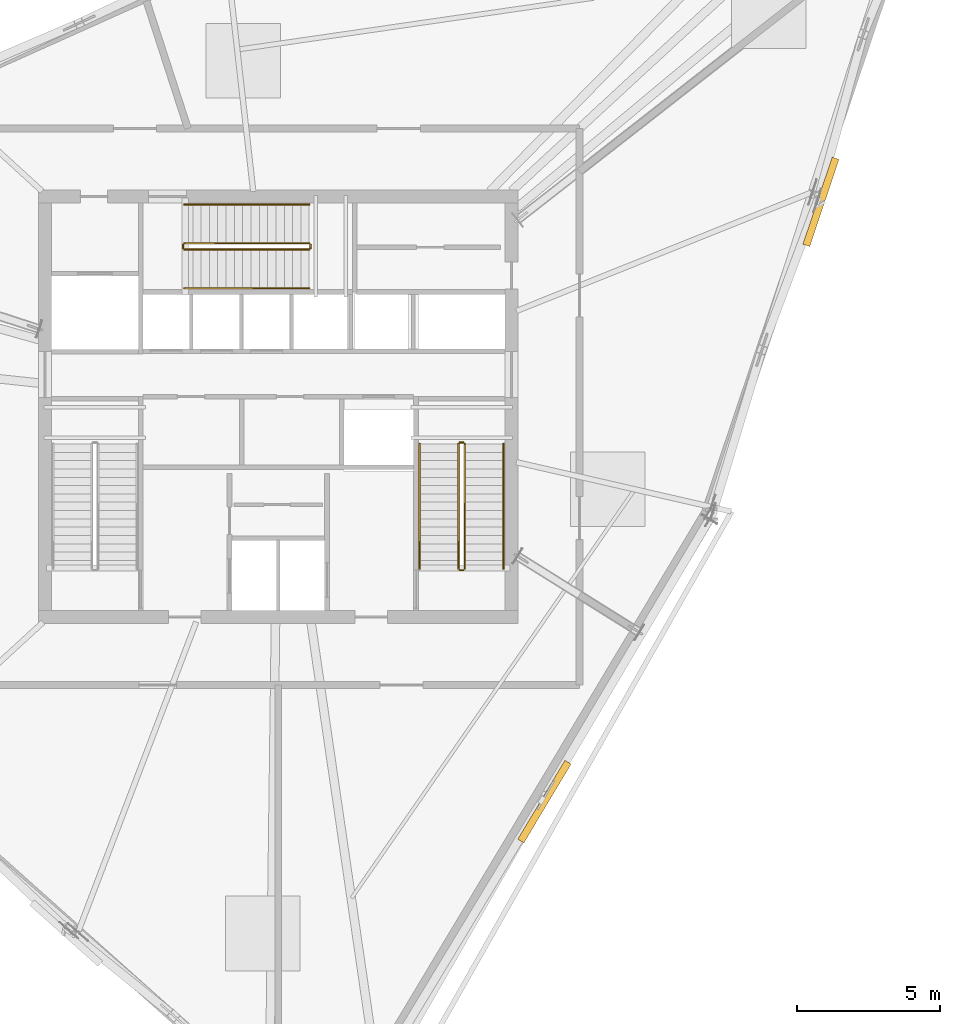
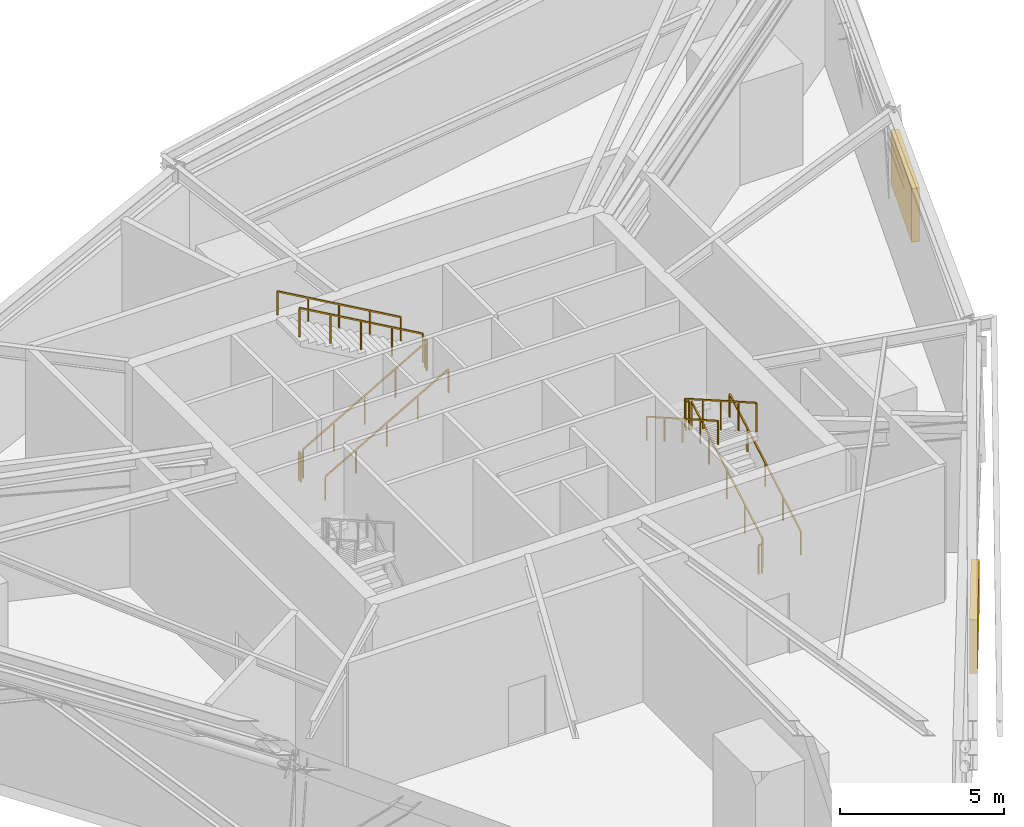
# One storey, part 13 of 15: 12 railings, 2 shading devices.
"""IFC4 building model written with IfcOpenShell, lengths in metres."""

import ifcopenshell
import ifcopenshell.guid

model = None  # the IFC model being written
_history = None  # IfcOwnerHistory: only IFC2X3 demands one
_inside = {}  # id of a spatial element -> (the spatial element, [elements in it])
_under = {}  # id of a project, library or spatial element -> (it, [spatial elements below it])
_declared = {}  # id of a project -> (the project, [libraries it declares])
_typed = {}  # id of a type object -> (the type object, [elements of that type])
_made_of = {}  # id of a material, layer set ... -> (it, [elements and type objects made of it])


def new_model(schema):
    """Start an empty IFC model of exactly this schema.

    Asked for "IFC4X3", IfcOpenShell would pick the latest addendum, in which some entities
    have other attributes; the version numbers below select the first issue.
    IFC2X3 requires an IfcOwnerHistory on every rooted entity: one is made here for all.
    """
    global model, _history
    if schema == "IFC4X3":
        model = ifcopenshell.file(schema_version=(4, 3, 0, 0))
    else:
        model = ifcopenshell.file(schema=schema)
    _inside.clear()
    _under.clear()
    _declared.clear()
    _typed.clear()
    _made_of.clear()
    _history = None
    if model.schema == "IFC2X3":
        org = make("IfcOrganization", Name="unknown")
        user = make(
            "IfcPersonAndOrganization",
            ThePerson=make("IfcPerson", FamilyName="unknown"),
            TheOrganization=org,
        )
        app = make(
            "IfcApplication",
            ApplicationDeveloper=org,
            Version="unknown",
            ApplicationFullName="unknown",
            ApplicationIdentifier="unknown",
        )
        _history = make(
            "IfcOwnerHistory",
            OwningUser=user,
            OwningApplication=app,
            ChangeAction="ADDED",
            CreationDate=0,
        )
    return model


def make(cls, **values):
    """One entity of the class cls with the attributes given. An attribute that is None is left unset."""
    return model.create_entity(
        cls, **{name: value for name, value in values.items() if value is not None}
    )


def rooted(cls, **values):
    """An entity with a GlobalId (a new one), such as an element, a storey or a relation."""
    return make(cls, GlobalId=ifcopenshell.guid.new(), OwnerHistory=_history, **values)


def si_unit(unit_type, name, prefix=None):
    """IfcSIUnit, for example si_unit("LENGTHUNIT", "METRE", prefix="MILLI")."""
    return make("IfcSIUnit", UnitType=unit_type, Prefix=prefix, Name=name)


def assignment(units):
    """IfcUnitAssignment: the units of a project."""
    return None if units is None else make("IfcUnitAssignment", Units=units)


def point(xyz):
    """IfcCartesianPoint."""
    return None if xyz is None else make("IfcCartesianPoint", Coordinates=xyz)


def direction(xyz):
    """IfcDirection."""
    return None if xyz is None else make("IfcDirection", DirectionRatios=xyz)


def frame(location, z_axis=None, x_axis=None):
    """IfcAxis2Placement3D, a coordinate frame: its origin and axes. An axis left out is left unset."""
    return make(
        "IfcAxis2Placement3D",
        Location=point(location),
        Axis=direction(z_axis),
        RefDirection=direction(x_axis),
    )


def frame_2d(location, x_axis=None):
    """IfcAxis2Placement2D, a coordinate frame in the plane: its origin and x axis."""
    return make(
        "IfcAxis2Placement2D", Location=point(location), RefDirection=direction(x_axis)
    )


def origin():
    """The frame at (0, 0, 0) with its axes left unset."""
    return frame((0.0, 0.0, 0.0))


def origin_2d():
    """The frame at (0, 0) in the plane with its x axis left unset."""
    return frame_2d((0.0, 0.0))


def place(relative_to, where):
    """IfcLocalPlacement: puts the frame where relative to a parent placement (None: the world)."""
    return make(
        "IfcLocalPlacement", PlacementRelTo=relative_to, RelativePlacement=where
    )


def context(
    kind, dimensions, precision=None, world=None, true_north=None, identifier=None
):
    """IfcGeometricRepresentationContext, for example the 3D "Model" context."""
    return make(
        "IfcGeometricRepresentationContext",
        ContextIdentifier=identifier,
        ContextType=kind,
        CoordinateSpaceDimension=dimensions,
        Precision=precision,
        WorldCoordinateSystem=world,
        TrueNorth=true_north,
    )


def subcontext(parent, identifier, kind, view, scale=None):
    """IfcGeometricRepresentationSubContext, for example "Body" below "Model"."""
    return make(
        "IfcGeometricRepresentationSubContext",
        ContextIdentifier=identifier,
        ContextType=kind,
        ParentContext=parent,
        TargetScale=scale,
        TargetView=view,
    )


def project(units=None, contexts=None):
    """IfcProject with its units and contexts."""
    return rooted(
        "IfcProject",
        Name="project",
        RepresentationContexts=contexts,
        UnitsInContext=assignment(units),
    )


def spatial(cls, under=None, at=None, **own):
    """A site, building, storey or space (cls), placed at a placement, below another one or the project."""
    s = rooted(cls, ObjectPlacement=at, **own)
    if under is not None:
        _under.setdefault(under.id(), (under, []))[1].append(s)
    return s


def profile(cls, at=None, kind="AREA", **sizes):
    """A parametric profile (cls). Its sizes go by their IFC names, for example OverallWidth=200.0."""
    return make(cls, ProfileType=kind, Position=at, **sizes)


def rectangle(**sizes):
    """IfcRectangleProfileDef."""
    return profile("IfcRectangleProfileDef", **sizes)


def extrude(swept, where, along, depth):
    """IfcExtrudedAreaSolid: the profile swept, set in the frame where, extruded along a direction by depth."""
    return make(
        "IfcExtrudedAreaSolid",
        SweptArea=swept,
        Position=where,
        ExtrudedDirection=direction(along),
        Depth=depth,
    )


def shape(context_of_items, identifier, shape_type, items):
    """IfcShapeRepresentation: the items that make up one representation, for example the "Body"."""
    return make(
        "IfcShapeRepresentation",
        ContextOfItems=context_of_items,
        RepresentationIdentifier=identifier,
        RepresentationType=shape_type,
        Items=items,
    )


def source(mapping_origin, context_of_items, identifier, shape_type, items):
    """IfcRepresentationMap: a shape defined once, which mapped items show again and again."""
    return make(
        "IfcRepresentationMap",
        MappingOrigin=mapping_origin,
        MappedRepresentation=shape(context_of_items, identifier, shape_type, items),
    )


def transform(
    local_origin,
    x_axis=None,
    y_axis=None,
    z_axis=None,
    scale=None,
    scale2=None,
    scale3=None,
    uniform=True,
):
    """IfcCartesianTransformationOperator3D, or its non-uniform kind. x_axis, y_axis, z_axis: its Axis1, 2, 3."""
    if uniform:
        return make(
            "IfcCartesianTransformationOperator3D",
            Axis1=direction(x_axis),
            Axis2=direction(y_axis),
            LocalOrigin=point(local_origin),
            Scale=scale,
            Axis3=direction(z_axis),
        )
    return make(
        "IfcCartesianTransformationOperator3DnonUniform",
        Axis1=direction(x_axis),
        Axis2=direction(y_axis),
        LocalOrigin=point(local_origin),
        Scale=scale,
        Axis3=direction(z_axis),
        Scale2=scale2,
        Scale3=scale3,
    )


def mapped(mapping_source, mapping_target):
    """IfcMappedItem: shows the shape of a source again, moved by a transform."""
    return make(
        "IfcMappedItem", MappingSource=mapping_source, MappingTarget=mapping_target
    )


def material(Name=None, Category=None):
    """IfcMaterial."""
    return make("IfcMaterial", Name=Name, Category=Category)


def made_of(thing, what):
    """Note that an element or type object is made of a material, layer set ...; save() writes the relation."""
    if what is not None:
        _made_of.setdefault(what.id(), (what, []))[1].append(thing)
    return thing


def type_object(cls, material=None, **own):
    """A type object (cls), such as IfcWallType, which elements share."""
    return made_of(rooted(cls, **own), material)


def element(
    cls,
    number,
    at=None,
    inside=None,
    cuts=None,
    type_object=None,
    material=None,
    context=None,
    identifier="Body",
    shape_type=None,
    held_by="IfcProductDefinitionShape",
    body=None,
    shapes=None,
    **own,
):
    """One element of the class cls, such as IfcWall. Its Tag is "e" and its number.

    at: its placement. inside: the storey or other place that contains it. cuts: it is an
    opening in that element (IfcRelVoidsElement). A single representation is given by context,
    identifier, shape_type and body (its items); several are given by shapes. held_by: the class
    of the entity that holds the representations. save() writes the other relations.
    """
    e = rooted(cls, Tag="e%d" % number, ObjectPlacement=at, **own)
    if body is not None:
        shapes = [shape(context, identifier, shape_type, body)]
    if shapes is not None:
        e.Representation = make(held_by, Representations=shapes)
    if inside is not None:
        _inside.setdefault(inside.id(), (inside, []))[1].append(e)
    if cuts is not None:
        rooted(
            "IfcRelVoidsElement", RelatingBuildingElement=cuts, RelatedOpeningElement=e
        )
    if type_object is not None:
        _typed.setdefault(type_object.id(), (type_object, []))[1].append(e)
    return made_of(e, material)


def aggregate(whole, parts):
    """IfcRelAggregates: a whole, such as a stair, and the parts it consists of."""
    return rooted("IfcRelAggregates", RelatingObject=whole, RelatedObjects=parts)


def save(model, path):
    """Write the relations noted so far, then the file.

    IfcRelAggregates (storeys below a building ...), IfcRelContainedInSpatialStructure (elements
    in a storey), IfcRelDefinesByType, IfcRelAssociatesMaterial and IfcRelDeclares: one each for
    every whole, place, type object, material and project.
    """
    for whole, parts in _under.values():
        aggregate(whole, parts)
    for where, things in _inside.values():
        rooted(
            "IfcRelContainedInSpatialStructure",
            RelatedElements=things,
            RelatingStructure=where,
        )
    for kind, things in _typed.values():
        rooted("IfcRelDefinesByType", RelatedObjects=things, RelatingType=kind)
    for what, things in _made_of.values():
        rooted("IfcRelAssociatesMaterial", RelatedObjects=things, RelatingMaterial=what)
    for by, libraries in _declared.values():
        rooted("IfcRelDeclares", RelatingContext=by, RelatedDefinitions=libraries)
    model.write(path)


model = new_model("IFC4")

# Units and contexts
model_context = context("Model", 3, precision=1e-05, world=origin(), true_north=direction((0.0, 1.0)))
body_context = subcontext(model_context, "Body", "Model", "MODEL_VIEW")
ifc_project = project(units=[si_unit("LENGTHUNIT", "METRE"), si_unit("AREAUNIT", "SQUARE_METRE"), si_unit("VOLUMEUNIT", "CUBIC_METRE"), si_unit("PLANEANGLEUNIT", "RADIAN"), si_unit("MASSUNIT", "GRAM", prefix="KILO")], contexts=[model_context])

# Site, building, storey
site_placement = place(None, origin())
site = spatial("IfcSite", under=ifc_project, at=site_placement, CompositionType="ELEMENT")
building_placement = place(site_placement, origin())
building = spatial("IfcBuilding", under=site, at=building_placement, Name="Olszyna Solenne Hotel", CompositionType="ELEMENT")
storey_placement = place(building_placement, frame((0.0, 0.0, 204.300048828125)))
storey = spatial("IfcBuildingStorey", under=building, at=storey_placement, Name="L54", CompositionType="ELEMENT", Elevation=204.300048828125)

# Railings
ifc_material_1 = material(Name="Anodised bronze aluminium", Category="aluminium")
railing_type_1 = type_object("IfcRailingType", Name="GR-110", PredefinedType="BALUSTRADE", material=ifc_material_1)
railing_1_placement = place(storey_placement, frame((44.5, 20.949951171875, 0.16552734375)))
element("IfcRailing", 1, at=railing_1_placement, inside=storey, type_object=railing_type_1, Name="L54 ST2 stair guard 1", PredefinedType="BALUSTRADE", context=body_context, shape_type="SweptSolid", body=[
    extrude(rectangle(XDim=0.048095703125, YDim=0.048095703125, at=origin_2d()), frame((0.0, 0.0, 1.076171875), z_axis=(0.0, 0.868363080214, 0.49592898778), x_axis=(-1.0, 0.0, 0.0)), (0.0, 0.0, 1.0), 5.009521484375),
    extrude(rectangle(XDim=0.0419921875, YDim=0.0419921875, at=origin_2d()), origin(), (0.0, 0.0, 1.0), 1.052001953125),
    extrude(rectangle(XDim=0.0419921875, YDim=0.0419921875, at=origin_2d()), frame((0.0, 1.08740234375, 0.62109375)), (0.0, 0.0, 1.0), 1.052001953125),
    extrude(rectangle(XDim=0.0419921875, YDim=0.0419921875, at=origin_2d()), frame((0.0, 2.175048828125, 1.2421875)), (0.0, 0.0, 1.0), 1.052001953125),
    extrude(rectangle(XDim=0.0419921875, YDim=0.0419921875, at=origin_2d()), frame((0.0, 3.2626953125, 1.86328125)), (0.0, 0.0, 1.0), 1.052001953125),
    extrude(rectangle(XDim=0.0419921875, YDim=0.0419921875, at=origin_2d()), frame((0.0, 4.35009765625, 2.484375)), (0.0, 0.0, 1.0), 1.052001953125),
])
railing_2_placement = place(storey_placement, frame((44.449951171875, 25.35009765625, 2.64990234375)))
element("IfcRailing", 2, at=railing_2_placement, inside=storey, type_object=railing_type_1, Name="L54 ST2 stair guard 2", PredefinedType="BALUSTRADE", context=body_context, shape_type="SweptSolid", body=[
    extrude(rectangle(XDim=0.048095703125, YDim=0.048095703125, at=origin_2d()), frame((0.0, 0.0, 1.076171875), z_axis=(-1.0, 0.0, 0.0), x_axis=(0.0, -1.0, 0.0)), (0.0, 0.0, 1.0), 0.119873046875),
    extrude(rectangle(XDim=0.0419921875, YDim=0.0419921875, at=origin_2d()), origin(), (0.0, 0.0, 1.0), 1.052001953125),
    extrude(rectangle(XDim=0.0419921875, YDim=0.0419921875, at=origin_2d()), frame((-0.119873046875, 0.0, 0.0)), (0.0, 0.0, 1.0), 1.052001953125),
])
railing_3_placement = place(storey_placement, frame((44.280029296875, 25.300048828125, 2.815673828125)))
element("IfcRailing", 3, at=railing_3_placement, inside=storey, type_object=railing_type_1, Name="L54 ST2 stair guard 3", PredefinedType="BALUSTRADE", context=body_context, shape_type="SweptSolid", body=[
    extrude(rectangle(XDim=0.048095703125, YDim=0.048095703125, at=origin_2d()), frame((0.0, 0.0, 1.076171875), z_axis=(0.0, -0.868363080214, 0.49592898778), x_axis=(1.0, 0.0, 0.0)), (0.0, 0.0, 1.0), 5.009521484375),
    extrude(rectangle(XDim=0.0419921875, YDim=0.0419921875, at=origin_2d()), origin(), (0.0, 0.0, 1.0), 1.052001953125),
    extrude(rectangle(XDim=0.0419921875, YDim=0.0419921875, at=origin_2d()), frame((0.0, -1.08740234375, 0.62109375)), (0.0, 0.0, 1.0), 1.052001953125),
    extrude(rectangle(XDim=0.0419921875, YDim=0.0419921875, at=origin_2d()), frame((0.0, -2.175048828125, 1.2421875)), (0.0, 0.0, 1.0), 1.052001953125),
    extrude(rectangle(XDim=0.0419921875, YDim=0.0419921875, at=origin_2d()), frame((0.0, -3.2626953125, 1.86328125)), (0.0, 0.0, 1.0), 1.052001953125),
    extrude(rectangle(XDim=0.0419921875, YDim=0.0419921875, at=origin_2d()), frame((0.0, -4.35009765625, 2.484375)), (0.0, 0.0, 1.0), 1.052001953125),
])
railing_4_placement = place(storey_placement, frame((44.449951171875, 20.89990234375, 0.0)))
element("IfcRailing", 4, at=railing_4_placement, inside=storey, type_object=railing_type_1, Name="L54 ST2 stair guard 4", PredefinedType="BALUSTRADE", context=body_context, shape_type="SweptSolid", body=[
    extrude(rectangle(XDim=0.048095703125, YDim=0.048095703125, at=origin_2d()), frame((0.0, 0.0, 1.076171875), z_axis=(-1.0, 0.0, 0.0), x_axis=(0.0, -1.0, 0.0)), (0.0, 0.0, 1.0), 0.119873046875),
    extrude(rectangle(XDim=0.0419921875, YDim=0.0419921875, at=origin_2d()), origin(), (0.0, 0.0, 1.0), 1.052001953125),
    extrude(rectangle(XDim=0.0419921875, YDim=0.0419921875, at=origin_2d()), frame((-0.119873046875, 0.0, 0.0)), (0.0, 0.0, 1.0), 1.052001953125),
])
railing_5_placement = place(storey_placement, frame((34.72998046875, 32.080078125, 0.16552734375)))
element("IfcRailing", 5, at=railing_5_placement, inside=storey, type_object=railing_type_1, Name="L54 ST3 stair guard 1", PredefinedType="BALUSTRADE", context=body_context, shape_type="SweptSolid", body=[
    extrude(rectangle(XDim=0.048095703125, YDim=0.048095703125, at=origin_2d()), frame((0.0, 0.0, 1.076171875), z_axis=(0.868363080214, 0.0, 0.49592898778), x_axis=(0.0, 1.0, 0.0)), (0.0, 0.0, 1.0), 5.009521484375),
    extrude(rectangle(XDim=0.0419921875, YDim=0.0419921875, at=origin_2d()), origin(), (0.0, 0.0, 1.0), 1.052001953125),
    extrude(rectangle(XDim=0.0419921875, YDim=0.0419921875, at=origin_2d()), frame((1.08740234375, 0.0, 0.62109375)), (0.0, 0.0, 1.0), 1.052001953125),
    extrude(rectangle(XDim=0.0419921875, YDim=0.0419921875, at=origin_2d()), frame((2.175048828125, 0.0, 1.2421875)), (0.0, 0.0, 1.0), 1.052001953125),
    extrude(rectangle(XDim=0.0419921875, YDim=0.0419921875, at=origin_2d()), frame((3.2626953125, 0.0, 1.86328125)), (0.0, 0.0, 1.0), 1.052001953125),
    extrude(rectangle(XDim=0.0419921875, YDim=0.0419921875, at=origin_2d()), frame((4.35009765625, 0.0, 2.484375)), (0.0, 0.0, 1.0), 1.052001953125),
])
railing_6_placement = place(storey_placement, frame((39.1298828125, 32.1298828125, 2.64990234375)))
element("IfcRailing", 6, at=railing_6_placement, inside=storey, type_object=railing_type_1, Name="L54 ST3 stair guard 2", PredefinedType="BALUSTRADE", context=body_context, shape_type="SweptSolid", body=[
    extrude(rectangle(XDim=0.048095703125, YDim=0.048095703125, at=origin_2d()), frame((0.0, 0.0, 1.076171875), z_axis=(0.0, 1.0, 0.0), x_axis=(-1.0, 0.0, 0.0)), (0.0, 0.0, 1.0), 0.1201171875),
    extrude(rectangle(XDim=0.0419921875, YDim=0.0419921875, at=origin_2d()), origin(), (0.0, 0.0, 1.0), 1.052001953125),
    extrude(rectangle(XDim=0.0419921875, YDim=0.0419921875, at=origin_2d()), frame((0.0, 0.1201171875, 0.0)), (0.0, 0.0, 1.0), 1.052001953125),
])
railing_7_placement = place(storey_placement, frame((39.080078125, 32.300048828125, 2.815673828125)))
element("IfcRailing", 7, at=railing_7_placement, inside=storey, type_object=railing_type_1, Name="L54 ST3 stair guard 3", PredefinedType="BALUSTRADE", context=body_context, shape_type="SweptSolid", body=[
    extrude(rectangle(XDim=0.048095703125, YDim=0.048095703125, at=origin_2d()), frame((0.0, 0.0, 1.076171875), z_axis=(-0.868363080214, 0.0, 0.49592898778), x_axis=(0.0, -1.0, 0.0)), (0.0, 0.0, 1.0), 5.009521484375),
    extrude(rectangle(XDim=0.0419921875, YDim=0.0419921875, at=origin_2d()), origin(), (0.0, 0.0, 1.0), 1.052001953125),
    extrude(rectangle(XDim=0.0419921875, YDim=0.0419921875, at=origin_2d()), frame((-1.08740234375, 0.0, 0.62109375)), (0.0, 0.0, 1.0), 1.052001953125),
    extrude(rectangle(XDim=0.0419921875, YDim=0.0419921875, at=origin_2d()), frame((-2.175048828125, 0.0, 1.2421875)), (0.0, 0.0, 1.0), 1.052001953125),
    extrude(rectangle(XDim=0.0419921875, YDim=0.0419921875, at=origin_2d()), frame((-3.2626953125, 0.0, 1.86328125)), (0.0, 0.0, 1.0), 1.052001953125),
    extrude(rectangle(XDim=0.0419921875, YDim=0.0419921875, at=origin_2d()), frame((-4.35009765625, 0.0, 2.484375)), (0.0, 0.0, 1.0), 1.052001953125),
])
railing_8_placement = place(storey_placement, frame((34.679931640625, 32.1298828125, 0.0)))
element("IfcRailing", 8, at=railing_8_placement, inside=storey, type_object=railing_type_1, Name="L54 ST3 stair guard 4", PredefinedType="BALUSTRADE", context=body_context, shape_type="SweptSolid", body=[
    extrude(rectangle(XDim=0.048095703125, YDim=0.048095703125, at=origin_2d()), frame((0.0, 0.0, 1.076171875), z_axis=(0.0, 1.0, 0.0), x_axis=(-1.0, 0.0, 0.0)), (0.0, 0.0, 1.0), 0.1201171875),
    extrude(rectangle(XDim=0.0419921875, YDim=0.0419921875, at=origin_2d()), origin(), (0.0, 0.0, 1.0), 1.052001953125),
    extrude(rectangle(XDim=0.0419921875, YDim=0.0419921875, at=origin_2d()), frame((0.0, 0.1201171875, 0.0)), (0.0, 0.0, 1.0), 1.052001953125),
])
ifc_material_2 = material(Name="Steel S355J2", Category="steel")
railing_type_2 = type_object("IfcRailingType", Name="HR-090", PredefinedType="HANDRAIL", material=ifc_material_2)
railing_9_placement = place(storey_placement, frame((45.85009765625, 20.949951171875, 0.16552734375)))
element("IfcRailing", 9, at=railing_9_placement, inside=storey, type_object=railing_type_2, Name="L54 ST2 stair handrail 1", PredefinedType="HANDRAIL", context=body_context, shape_type="SweptSolid", body=[
    extrude(rectangle(XDim=0.048095703125, YDim=0.048095703125, at=origin_2d()), frame((0.0, 0.0, 0.8759765625), z_axis=(0.0, 0.868363080214, 0.49592898778), x_axis=(-1.0, 0.0, 0.0)), (0.0, 0.0, 1.0), 5.009521484375),
    extrude(rectangle(XDim=0.0419921875, YDim=0.0419921875, at=origin_2d()), origin(), (0.0, 0.0, 1.0), 0.851806640625),
    extrude(rectangle(XDim=0.0419921875, YDim=0.0419921875, at=origin_2d()), frame((0.0, 1.08740234375, 0.62109375)), (0.0, 0.0, 1.0), 0.851806640625),
    extrude(rectangle(XDim=0.0419921875, YDim=0.0419921875, at=origin_2d()), frame((0.0, 2.175048828125, 1.2421875)), (0.0, 0.0, 1.0), 0.851806640625),
    extrude(rectangle(XDim=0.0419921875, YDim=0.0419921875, at=origin_2d()), frame((0.0, 3.2626953125, 1.86328125)), (0.0, 0.0, 1.0), 0.851806640625),
    extrude(rectangle(XDim=0.0419921875, YDim=0.0419921875, at=origin_2d()), frame((0.0, 4.35009765625, 2.484375)), (0.0, 0.0, 1.0), 0.851806640625),
])
railing_10_placement = place(storey_placement, frame((42.929931640625, 25.300048828125, 2.815673828125)))
element("IfcRailing", 10, at=railing_10_placement, inside=storey, type_object=railing_type_2, Name="L54 ST2 stair handrail 2", PredefinedType="HANDRAIL", context=body_context, shape_type="SweptSolid", body=[
    extrude(rectangle(XDim=0.048095703125, YDim=0.048095703125, at=origin_2d()), frame((0.0, 0.0, 0.8759765625), z_axis=(0.0, -0.868363080214, 0.49592898778), x_axis=(1.0, 0.0, 0.0)), (0.0, 0.0, 1.0), 5.009521484375),
    extrude(rectangle(XDim=0.0419921875, YDim=0.0419921875, at=origin_2d()), origin(), (0.0, 0.0, 1.0), 0.851806640625),
    extrude(rectangle(XDim=0.0419921875, YDim=0.0419921875, at=origin_2d()), frame((0.0, -1.08740234375, 0.62109375)), (0.0, 0.0, 1.0), 0.851806640625),
    extrude(rectangle(XDim=0.0419921875, YDim=0.0419921875, at=origin_2d()), frame((0.0, -2.175048828125, 1.2421875)), (0.0, 0.0, 1.0), 0.851806640625),
    extrude(rectangle(XDim=0.0419921875, YDim=0.0419921875, at=origin_2d()), frame((0.0, -3.2626953125, 1.86328125)), (0.0, 0.0, 1.0), 0.851806640625),
    extrude(rectangle(XDim=0.0419921875, YDim=0.0419921875, at=origin_2d()), frame((0.0, -4.35009765625, 2.484375)), (0.0, 0.0, 1.0), 0.851806640625),
])
railing_11_placement = place(storey_placement, frame((34.72998046875, 30.72998046875, 0.16552734375)))
element("IfcRailing", 11, at=railing_11_placement, inside=storey, type_object=railing_type_2, Name="L54 ST3 stair handrail 1", PredefinedType="HANDRAIL", context=body_context, shape_type="SweptSolid", body=[
    extrude(rectangle(XDim=0.048095703125, YDim=0.048095703125, at=origin_2d()), frame((0.0, 0.0, 0.8759765625), z_axis=(0.868363080214, 0.0, 0.49592898778), x_axis=(0.0, 1.0, 0.0)), (0.0, 0.0, 1.0), 5.009521484375),
    extrude(rectangle(XDim=0.0419921875, YDim=0.0419921875, at=origin_2d()), origin(), (0.0, 0.0, 1.0), 0.851806640625),
    extrude(rectangle(XDim=0.0419921875, YDim=0.0419921875, at=origin_2d()), frame((1.08740234375, 0.0, 0.62109375)), (0.0, 0.0, 1.0), 0.851806640625),
    extrude(rectangle(XDim=0.0419921875, YDim=0.0419921875, at=origin_2d()), frame((2.175048828125, 0.0, 1.2421875)), (0.0, 0.0, 1.0), 0.851806640625),
    extrude(rectangle(XDim=0.0419921875, YDim=0.0419921875, at=origin_2d()), frame((3.2626953125, 0.0, 1.86328125)), (0.0, 0.0, 1.0), 0.851806640625),
    extrude(rectangle(XDim=0.0419921875, YDim=0.0419921875, at=origin_2d()), frame((4.35009765625, 0.0, 2.484375)), (0.0, 0.0, 1.0), 0.851806640625),
])
railing_12_placement = place(storey_placement, frame((39.080078125, 33.64990234375, 2.815673828125)))
element("IfcRailing", 12, at=railing_12_placement, inside=storey, type_object=railing_type_2, Name="L54 ST3 stair handrail 2", PredefinedType="HANDRAIL", context=body_context, shape_type="SweptSolid", body=[
    extrude(rectangle(XDim=0.048095703125, YDim=0.048095703125, at=origin_2d()), frame((0.0, 0.0, 0.8759765625), z_axis=(-0.868363080214, 0.0, 0.49592898778), x_axis=(0.0, -1.0, 0.0)), (0.0, 0.0, 1.0), 5.009521484375),
    extrude(rectangle(XDim=0.0419921875, YDim=0.0419921875, at=origin_2d()), origin(), (0.0, 0.0, 1.0), 0.851806640625),
    extrude(rectangle(XDim=0.0419921875, YDim=0.0419921875, at=origin_2d()), frame((-1.08740234375, 0.0, 0.62109375)), (0.0, 0.0, 1.0), 0.851806640625),
    extrude(rectangle(XDim=0.0419921875, YDim=0.0419921875, at=origin_2d()), frame((-2.175048828125, 0.0, 1.2421875)), (0.0, 0.0, 1.0), 0.851806640625),
    extrude(rectangle(XDim=0.0419921875, YDim=0.0419921875, at=origin_2d()), frame((-3.2626953125, 0.0, 1.86328125)), (0.0, 0.0, 1.0), 0.851806640625),
    extrude(rectangle(XDim=0.0419921875, YDim=0.0419921875, at=origin_2d()), frame((-4.35009765625, 0.0, 2.484375)), (0.0, 0.0, 1.0), 0.851806640625),
])

# Shading devices
ifc_material_3 = material(Name="Terracotta cladding", Category="masonry")
shading_device_type = type_object("IfcShadingDeviceType", Name="SH-LV1", PredefinedType="JALOUSIE", material=ifc_material_3)
shared_shape = source(origin(), body_context, "Body", "SweptSolid", [
    extrude(rectangle(XDim=3.199951171875, YDim=0.25, at=origin_2d()), origin(), (0.0, 0.0, 1.0), 2.0),
])
for number, where, z_axis, x_axis, name in (
    (13, (47.277587890625, 12.83349609375, 1.285888671875), (0.0, 0.0, 1.0), (-0.513691004814, -0.857975262798, 0.0), "Terracotta acoustic plant louvre bank LV-L54-01"),
    (14, (56.917236328125, 33.743408203125, 1.285888671875), (0.0, 0.0, 1.0), (-0.318793887648, -0.947824064475, 0.0), "Terracotta acoustic plant louvre bank LV-L54-09"),
):
    element("IfcShadingDevice", number, at=place(storey_placement, frame(where, z_axis=z_axis, x_axis=x_axis)), inside=storey, type_object=shading_device_type, Name=name, PredefinedType="JALOUSIE", context=body_context, shape_type="MappedRepresentation", body=[
        mapped(shared_shape, transform((0.0, 0.0, 0.0), x_axis=(1.0, 0.0, 0.0), y_axis=(0.0, 1.0, 0.0), z_axis=(0.0, 0.0, 1.0), scale=1.0)),
    ])

save(model, "model.ifc")
